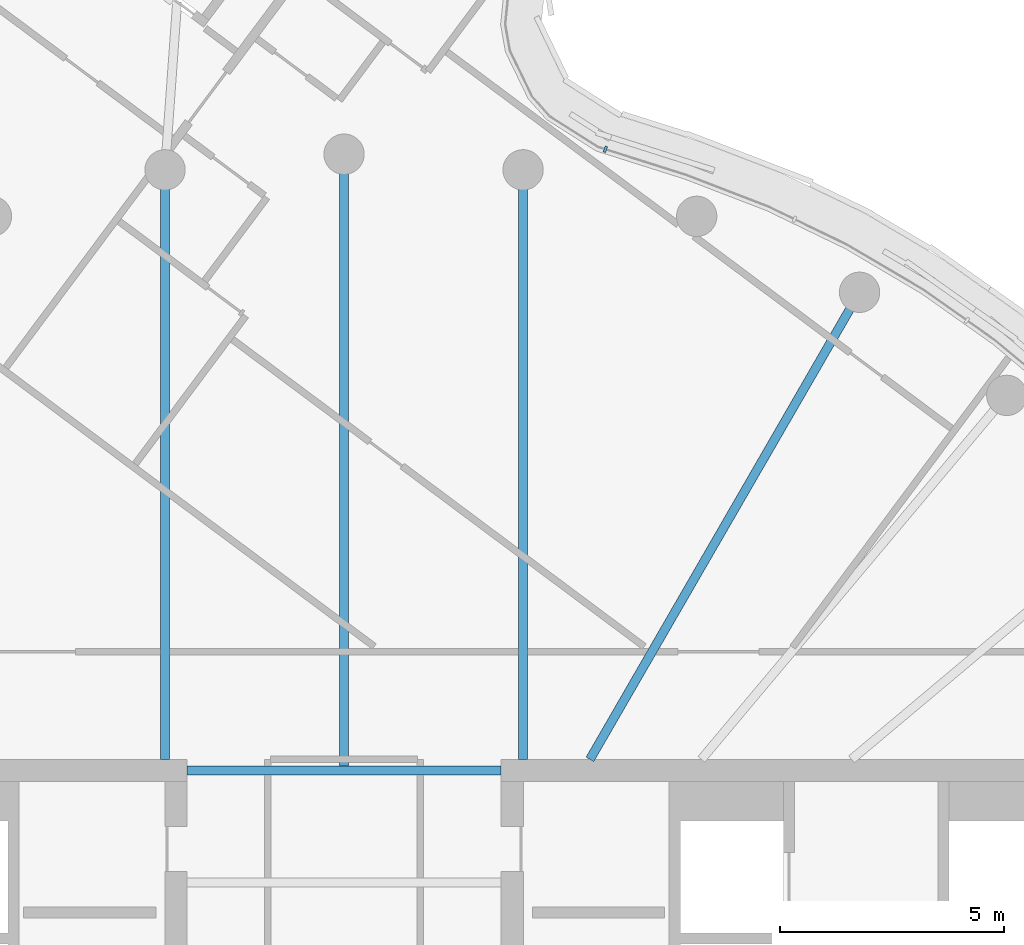
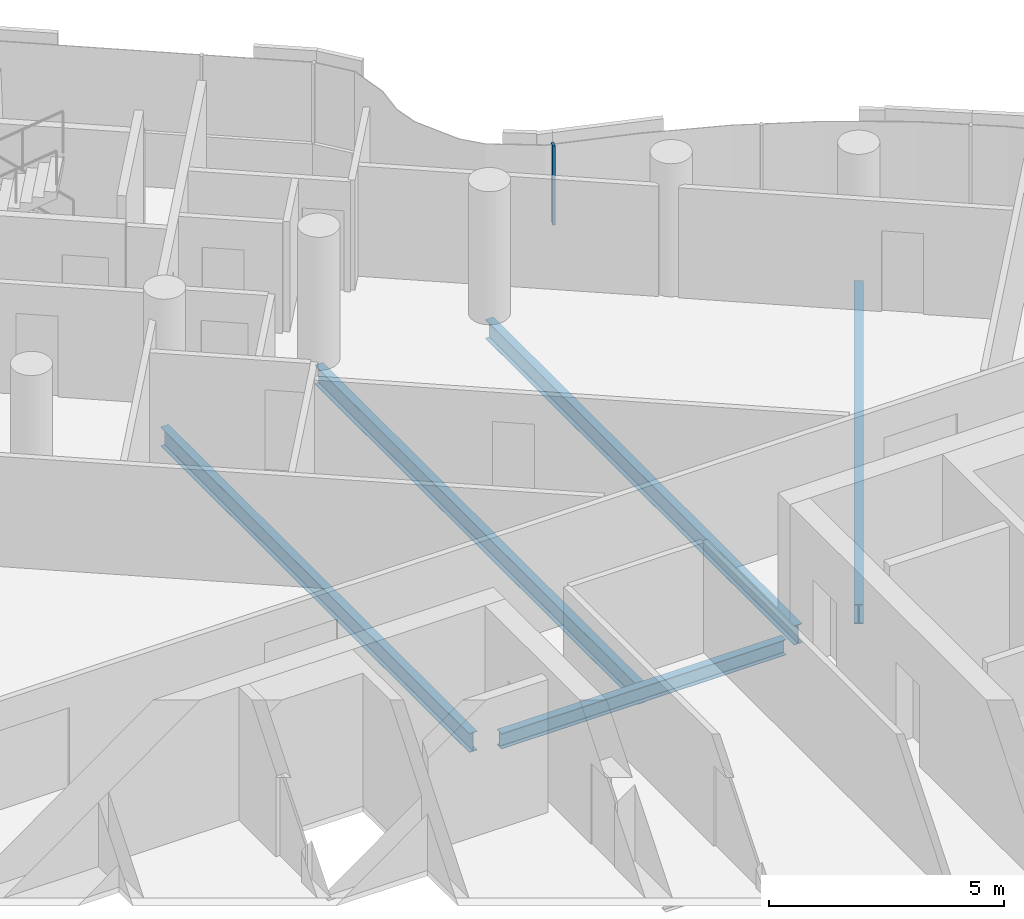
# One storey, part 11 of 27: 5 beams, 1 member, 1 element without a shape of its own.
"""IFC4 building model written with IfcOpenShell, lengths in metres."""

from ifc_helpers import new_model, si_unit, direction, frame, origin, origin_2d, place, context, subcontext, project, spatial, rectangle, i_section, extrude, material, layer, layer_set, material_profile, profile_set, type_object, element, aggregate, save


model = new_model("IFC4")

# Units and contexts
model_context = context("Model", 3, precision=1e-05, world=origin(), true_north=direction((0.0, 1.0)))
body_context = subcontext(model_context, "Body", "Model", "MODEL_VIEW")
ifc_project = project(units=[si_unit("LENGTHUNIT", "METRE"), si_unit("AREAUNIT", "SQUARE_METRE"), si_unit("VOLUMEUNIT", "CUBIC_METRE"), si_unit("PLANEANGLEUNIT", "RADIAN"), si_unit("MASSUNIT", "GRAM", prefix="KILO")], contexts=[model_context])

# Site, building, storey
site_placement = place(None, origin())
site = spatial("IfcSite", under=ifc_project, at=site_placement, CompositionType="ELEMENT")
building_placement = place(site_placement, origin())
building = spatial("IfcBuilding", under=site, at=building_placement, Name="Tamarind Cross Interchange Tower", CompositionType="ELEMENT")
storey_placement = place(building_placement, frame((0.0, 0.0, 227.10009765625)))
storey = spatial("IfcBuildingStorey", under=building, at=storey_placement, Name="L57", CompositionType="ELEMENT", Elevation=227.10009765625)

# Beams
ifc_material_1 = material(Name="Steel Q355B", Category="steel")
ifc_material_profile_1 = material_profile(ifc_material_1, i_section(OverallWidth=0.199951171875, OverallDepth=0.39990234375, WebThickness=0.008056640625, FlangeThickness=0.012939453125, FilletRadius=0.01611328125, at=origin_2d()), Name="HN 400x200x8x13")
ifc_profile_set_1 = profile_set([ifc_material_profile_1], Name="Steel Q355B")
beam_type_1 = type_object("IfcBeamType", Name="Composite beam HN 400x200x8x13 Q355B", PredefinedType="BEAM", material=ifc_profile_set_1)
beam_1_placement = place(storey_placement, frame((-3.5, 9.25, -0.340087890625), z_axis=(1.0, 0.0, 0.0), x_axis=(0.0, 1.0, 0.0)))
element("IfcBeam", 1, at=beam_1_placement, inside=storey, type_object=beam_type_1, Name="Beam G9.25", PredefinedType="BEAM", context=body_context, shape_type="SweptSolid", body=[
    extrude(i_section(OverallWidth=0.199951171875, OverallDepth=0.39990234375, WebThickness=0.008056640625, FlangeThickness=0.012939453125, FilletRadius=0.01611328125, at=origin_2d()), origin(), (0.0, 0.0, 1.0), 7.0),
])
ifc_material_profile_2 = material_profile(ifc_material_1, i_section(OverallWidth=0.198974609375, OverallDepth=0.49609375, WebThickness=0.009033203125, FlangeThickness=0.013916015625, FilletRadius=0.012939453125, at=origin_2d()), Name="HN 496x199x9x14")
ifc_profile_set_2 = profile_set([ifc_material_profile_2], Name="Steel Q355B")
beam_type_2 = type_object("IfcBeamType", Name="Composite beam HN 496x199x9x14 Q355B", PredefinedType="BEAM", material=ifc_profile_set_2)
beam_2_placement = place(storey_placement, frame((11.5, 19.918701171875, -0.38818359375), z_axis=(-0.499993565836, -0.866029118519, 0.0), x_axis=(0.866029118519, -0.499993565836, 0.0)))
element("IfcBeam", 2, at=beam_2_placement, inside=storey, type_object=beam_type_2, Name="Beam HH06", PredefinedType="BEAM", context=body_context, shape_type="SweptSolid", body=[
    extrude(i_section(OverallWidth=0.198974609375, OverallDepth=0.49609375, WebThickness=0.009033203125, FlangeThickness=0.013916015625, FilletRadius=0.012939453125, at=origin_2d()), origin(), (0.0, 0.0, 1.0), 12.030517578125),
])
beam_3_placement = place(storey_placement, frame((3.993896484375, 22.650634765625, -0.38818359375), z_axis=(0.0, -1.0, 0.0), x_axis=(1.0, 0.0, 0.0)))
element("IfcBeam", 3, at=beam_3_placement, inside=storey, type_object=beam_type_2, Name="Beam HH08", PredefinedType="BEAM", context=body_context, shape_type="SweptSolid", body=[
    extrude(i_section(OverallWidth=0.198974609375, OverallDepth=0.49609375, WebThickness=0.009033203125, FlangeThickness=0.013916015625, FilletRadius=0.012939453125, at=origin_2d()), origin(), (0.0, 0.0, 1.0), 13.150634765625),
])
beam_4_placement = place(storey_placement, frame((0.0, 23.0, -0.38818359375), z_axis=(0.0, -1.0, 0.0), x_axis=(1.0, 0.0, 0.0)))
element("IfcBeam", 4, at=beam_4_placement, inside=storey, type_object=beam_type_2, Name="Beam HH09", PredefinedType="BEAM", context=body_context, shape_type="SweptSolid", body=[
    extrude(i_section(OverallWidth=0.198974609375, OverallDepth=0.49609375, WebThickness=0.009033203125, FlangeThickness=0.013916015625, FilletRadius=0.012939453125, at=origin_2d()), origin(), (0.0, 0.0, 1.0), 13.75),
])
beam_5_placement = place(storey_placement, frame((-3.993896484375, 22.650634765625, -0.38818359375), z_axis=(0.0, -1.0, 0.0), x_axis=(1.0, 0.0, 0.0)))
element("IfcBeam", 5, at=beam_5_placement, inside=storey, type_object=beam_type_2, Name="Beam HH10", PredefinedType="BEAM", context=body_context, shape_type="SweptSolid", body=[
    extrude(i_section(OverallWidth=0.198974609375, OverallDepth=0.49609375, WebThickness=0.009033203125, FlangeThickness=0.013916015625, FilletRadius=0.012939453125, at=origin_2d()), origin(), (0.0, 0.0, 1.0), 13.150634765625),
])

# Curtain wall, member
ifc_material_2 = material(Name="Aluminium 6063-T6", Category="aluminium")
ifc_layer = layer(ifc_material_2, 0.139892578125)
ifc_layer_set = layer_set([ifc_layer], Name="Aluminium 6063-T6")
curtain_wall_type = type_object("IfcCurtainWallType", Name="Hotel curtain wall, 4.5 m bays", PredefinedType="NOTDEFINED", material=ifc_layer_set)
curtain_wall_placement = place(storey_placement, origin())
curtain_wall = element("IfcCurtainWall", 6, at=curtain_wall_placement, inside=storey, type_object=curtain_wall_type, Name="CWS-L57-02", PredefinedType="NOTDEFINED")
ifc_material_profile_3 = material_profile(ifc_material_2, rectangle(XDim=0.06005859375, YDim=0.139892578125, at=origin_2d()), Name="Mullion CW2")
ifc_profile_set_3 = profile_set([ifc_material_profile_3], Name="Aluminium 6063-T6")
member_type = type_object("IfcMemberType", Name="Mullion CW2", PredefinedType="MULLION", material=ifc_profile_set_3)
member_placement = place(storey_placement, frame((5.8310546875, 23.1103515625, 1.39990234375), z_axis=(0.0, 0.0, 1.0), x_axis=(-0.953132801857, 0.302552246767, 0.0)))
member = element("IfcMember", 7, at=member_placement, type_object=member_type, Name="CWM-L57-02-21", PredefinedType="MULLION", context=body_context, shape_type="SweptSolid", body=[
    extrude(rectangle(XDim=0.06005859375, YDim=0.139892578125, at=origin_2d()), origin(), (0.0, 0.0, 1.0), 2.06005859375),
])
aggregate(curtain_wall, [member])

save(model, "model.ifc")
